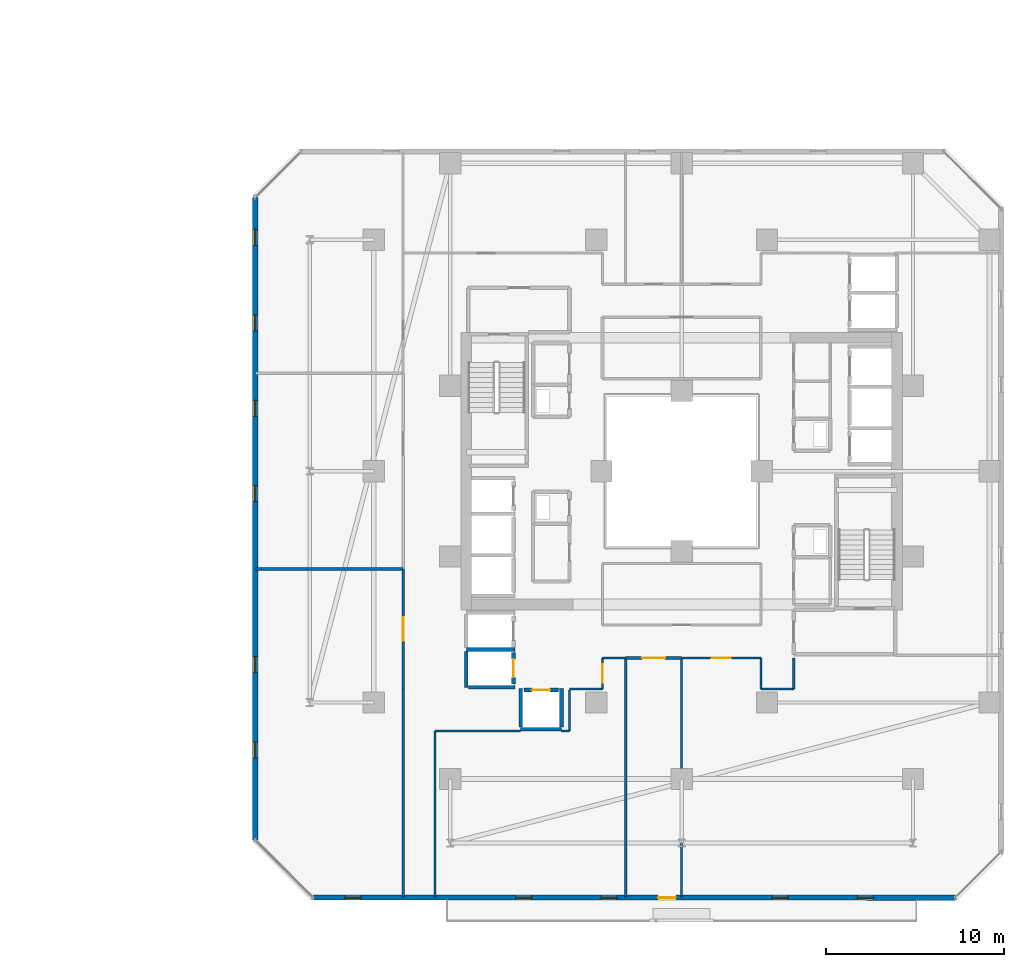
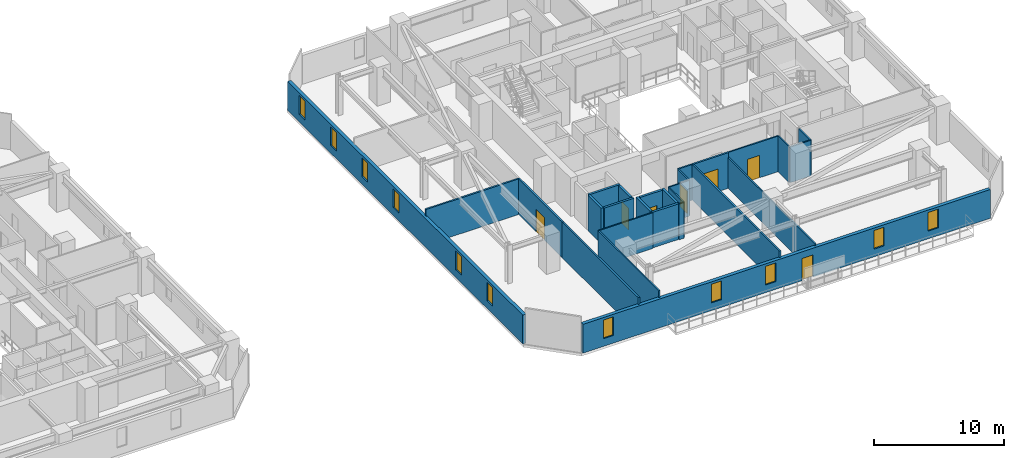
# One storey, part 23 of 33: 27 walls, 11 windows, 7 doors, 18 openings.
"""IFC4 building model written with IfcOpenShell, lengths in metres."""

from ifc_helpers import new_model, si_unit, direction, frame, frame_2d, origin, place, context, subcontext, project, spatial, rectangle, extrude, material, layer, layer_set, type_object, element, fill, save


model = new_model("IFC4")

# Units and contexts
model_context = context("Model", 3, precision=1e-05, world=origin(), true_north=direction((0.0, 1.0)))
body_context = subcontext(model_context, "Body", "Model", "MODEL_VIEW")
ifc_project = project(units=[si_unit("LENGTHUNIT", "METRE"), si_unit("AREAUNIT", "SQUARE_METRE"), si_unit("VOLUMEUNIT", "CUBIC_METRE"), si_unit("PLANEANGLEUNIT", "RADIAN"), si_unit("MASSUNIT", "GRAM", prefix="KILO")], contexts=[model_context])

# Site, building, storey
site_placement = place(None, origin())
site = spatial("IfcSite", under=ifc_project, at=site_placement, CompositionType="ELEMENT")
building_placement = place(site_placement, origin())
building = spatial("IfcBuilding", under=site, at=building_placement, Name="Thornwick Lancets Civic Towers", CompositionType="ELEMENT")
storey_placement = place(building_placement, frame((0.0, 0.0, 108.89990234375)))
storey = spatial("IfcBuildingStorey", under=building, at=storey_placement, Name="L28", CompositionType="ELEMENT", Elevation=108.89990234375)

# Wall, opening, door
ifc_material_1 = material(Name="Concrete blockwork C40/50", Category="masonry")
ifc_layer_1 = layer(ifc_material_1, 0.199951171875, Name="Concrete blockwork C40/50")
ifc_layer_set_1 = layer_set([ifc_layer_1], Name="Concrete blockwork C40/50")
wall_type_1 = type_object("IfcWallType", Name="WALL_COMP_200", PredefinedType="STANDARD", material=ifc_layer_set_1)
wall_1_placement = place(storey_placement, frame((79.050048828125, 15.030029296875, 0.0), z_axis=(0.0, 0.0, 1.0), x_axis=(0.0, 1.0, 0.0)))
wall_1 = element("IfcWall", 1, at=wall_1_placement, inside=storey, type_object=wall_type_1, Name="L28 Hoistway Front Wall PL-BM2", PredefinedType="STANDARD", context=body_context, shape_type="SweptSolid", body=[
    extrude(rectangle(XDim=1.7900390625, YDim=0.199951171875, at=frame_2d((0.89501953125, 0.0))), origin(), (0.0, 0.0, 1.0), 3.340087890625),
])
opening_1_placement = place(wall_1_placement, frame((0.385009765625, 0.0, 0.0)))
opening_1 = element("IfcOpeningElement", 2, at=opening_1_placement, cuts=wall_1, Name="Opening LD-PL-BM2", PredefinedType="OPENING", context=body_context, shape_type="SweptSolid", body=[
    extrude(rectangle(XDim=1.02001953125, YDim=2.06005859375, at=frame_2d((0.510009765625, 1.030029296875))), frame((0.0, 0.10986328125, 0.0), z_axis=(0.0, -1.0, 0.0), x_axis=(1.0, 0.0, 0.0)), (0.0, 0.0, 1.0), 0.219970703125),
])
ifc_material_2 = material(Name="Brushed bronze stainless steel", Category="steel")
door_type_1 = type_object("IfcDoorType", Name="DOOR_LIFT_SLIDE", OperationType="SLIDING_TO_LEFT", PredefinedType="DOOR", material=ifc_material_2)
door_1_placement = place(opening_1_placement, origin())
door_1 = element("IfcDoor", 3, at=door_1_placement, inside=storey, type_object=door_type_1, Name="L28 Sliding Lift Landing Door LD-PL-BM2", OperationType="SLIDING_TO_LEFT", OverallHeight=2.06005859375, OverallWidth=1.02001953125, PredefinedType="DOOR", context=body_context, shape_type="SweptSolid", body=[
    extrude(rectangle(XDim=1.02001953125, YDim=2.06005859375, at=frame_2d((0.510009765625, 1.030029296875))), frame((0.0, 0.02490234375, 0.0), z_axis=(0.0, -1.0, 0.0), x_axis=(1.0, 0.0, 0.0)), (0.0, 0.0, 1.0), 0.050048828125),
])
fill(opening_1, door_1)

wall_2_placement = place(storey_placement, frame((79.6298828125, 14.699951171875, 0.0), z_axis=(0.0, 0.0, 1.0), x_axis=(1.0, 0.0, 0.0)))
wall_2 = element("IfcWall", 4, at=wall_2_placement, inside=storey, type_object=wall_type_1, Name="L28 Hoistway Front Wall PL-BM3", PredefinedType="STANDARD", context=body_context, shape_type="SweptSolid", body=[
    extrude(rectangle(XDim=1.940185546875, YDim=0.199951171875, at=frame_2d((0.97021484375, 0.0))), origin(), (0.0, 0.0, 1.0), 3.340087890625),
])
opening_2_placement = place(wall_2_placement, frame((0.4599609375, 0.0, 0.0)))
opening_2 = element("IfcOpeningElement", 5, at=opening_2_placement, cuts=wall_2, Name="Opening LD-PL-BM3", PredefinedType="OPENING", context=body_context, shape_type="SweptSolid", body=[
    extrude(rectangle(XDim=1.02001953125, YDim=2.06005859375, at=frame_2d((0.510009765625, 1.030029296875))), frame((0.0, 0.10986328125, 0.0), z_axis=(0.0, -1.0, 0.0), x_axis=(1.0, 0.0, 0.0)), (0.0, 0.0, 1.0), 0.219970703125),
])
door_2_placement = place(opening_2_placement, origin())
door_2 = element("IfcDoor", 6, at=door_2_placement, inside=storey, type_object=door_type_1, Name="L28 Sliding Lift Landing Door LD-PL-BM3", OperationType="SLIDING_TO_LEFT", OverallHeight=2.06005859375, OverallWidth=1.02001953125, PredefinedType="DOOR", context=body_context, shape_type="SweptSolid", body=[
    extrude(rectangle(XDim=1.02001953125, YDim=2.06005859375, at=frame_2d((0.510009765625, 1.030029296875))), frame((0.0, 0.02490234375, 0.0), z_axis=(0.0, -1.0, 0.0), x_axis=(1.0, 0.0, 0.0)), (0.0, 0.0, 1.0), 0.050048828125),
])
fill(opening_2, door_2)

# Walls
wall_3_placement = place(storey_placement, frame((76.402099609375, 16.97509765625, 0.0), z_axis=(0.0, 0.0, 1.0), x_axis=(1.0, 0.0, 0.0)))
element("IfcWall", 7, at=wall_3_placement, inside=storey, type_object=wall_type_1, Name="L28 Hoistway Shaft Wall PL-BM1 S", PredefinedType="STANDARD", context=body_context, shape_type="SweptSolid", body=[
    extrude(rectangle(XDim=2.745849609375, YDim=0.199951171875, at=frame_2d((1.373046875, 0.0))), origin(), (0.0, 0.0, 1.0), 3.340087890625),
])
wall_4_placement = place(storey_placement, frame((76.39990234375, 14.85205078125, 0.0), z_axis=(0.0, 0.0, 1.0), x_axis=(0.0, 1.0, 0.0)))
element("IfcWall", 8, at=wall_4_placement, inside=storey, type_object=wall_type_1, Name="L28 Hoistway Shaft Wall PL-BM1 W", PredefinedType="STANDARD", context=body_context, shape_type="SweptSolid", body=[
    extrude(rectangle(XDim=2.015869140625, YDim=0.199951171875, at=frame_2d((1.0078125, 0.0))), origin(), (0.0, 0.0, 1.0), 3.340087890625),
])
wall_5_placement = place(storey_placement, frame((76.511962890625, 14.85009765625, 0.0), z_axis=(0.0, 0.0, 1.0), x_axis=(1.0, 0.0, 0.0)))
element("IfcWall", 9, at=wall_5_placement, inside=storey, type_object=wall_type_1, Name="L28 Hoistway Shaft Wall PL-BM2 S", PredefinedType="STANDARD", context=body_context, shape_type="SweptSolid", body=[
    extrude(rectangle(XDim=2.635986328125, YDim=0.199951171875, at=frame_2d((1.31787109375, 0.0))), origin(), (0.0, 0.0, 1.0), 3.340087890625),
])
wall_6_placement = place(storey_placement, frame((79.451904296875, 12.5, 0.0), z_axis=(0.0, 0.0, 1.0), x_axis=(1.0, 0.0, 0.0)))
element("IfcWall", 10, at=wall_6_placement, inside=storey, type_object=wall_type_1, Name="L28 Hoistway Shaft Wall PL-BM3 S", PredefinedType="STANDARD", context=body_context, shape_type="SweptSolid", body=[
    extrude(rectangle(XDim=2.296142578125, YDim=0.199951171875, at=frame_2d((1.14794921875, 0.0))), origin(), (0.0, 0.0, 1.0), 3.340087890625),
])
for number, where, z_axis, x_axis, name in (
    (11, (81.75, 12.612060546875, 0.0), (0.0, 0.0, 1.0), (0.0, 1.0, 0.0), "L28 Hoistway Shaft Wall PL-BM3 E"),
    (12, (79.449951171875, 12.612060546875, 0.0), (0.0, 0.0, 1.0), (0.0, 1.0, 0.0), "L28 Hoistway Shaft Wall PL-BM3 W"),
):
    element("IfcWall", number, at=place(storey_placement, frame(where, z_axis=z_axis, x_axis=x_axis)), inside=storey, type_object=wall_type_1, Name=name, PredefinedType="STANDARD", context=body_context, shape_type="SweptSolid", body=[
        extrude(rectangle(XDim=2.18603515625, YDim=0.199951171875, at=frame_2d((1.093017578125, 0.0))), origin(), (0.0, 0.0, 1.0), 3.340087890625),
    ])

# Wall, openings, door, windows
ifc_material_3 = material(Name="Insulated russet terracotta rainscreen on concrete C40/50", Category="masonry")
ifc_layer_2 = layer(ifc_material_3, 0.300048828125, Name="Insulated russet terracotta rainscreen on concrete C40/50")
ifc_layer_set_2 = layer_set([ifc_layer_2], Name="Insulated russet terracotta rainscreen on concrete C40/50")
wall_type_2 = type_object("IfcWallType", Name="WALL_EXT_RUSSET_300", PredefinedType="STANDARD", material=ifc_layer_set_2)
wall_7_placement = place(storey_placement, frame((67.771240234375, 3.037353515625, 0.0), z_axis=(0.0, 0.0, 1.0), x_axis=(0.999999998537, -5.4088042e-05, 0.0)))
wall_7 = element("IfcWall", 13, at=wall_7_placement, inside=storey, type_object=wall_type_2, Name="L28 Tower B Terracotta Facade Wall E0", PredefinedType="STANDARD", context=body_context, shape_type="SweptSolid", body=[
    extrude(rectangle(XDim=36.110107421875, YDim=0.300048828125, at=frame_2d((18.05517578125, 0.0))), origin(), (0.0, 0.0, 1.0), 2.7001953125),
])
opening_3_placement = place(wall_7_placement, frame((19.405029296875, 0.0, 0.0)))
opening_3 = element("IfcOpeningElement", 14, at=opening_3_placement, cuts=wall_7, Name="Opening D-BL-L28-BS", PredefinedType="OPENING", context=body_context, shape_type="SweptSolid", body=[
    extrude(rectangle(XDim=1.0, YDim=2.080078125, at=frame_2d((0.5, 1.0400390625))), frame((0.0, 0.16015625, 0.0), z_axis=(0.0, -1.0, 0.0), x_axis=(1.0, 0.0, 0.0)), (0.0, 0.0, 1.0), 0.320068359375),
])
opening_4_placement = place(wall_7_placement, frame((1.800048828125, 0.0, 0.719970703125)))
opening_4 = element("IfcOpeningElement", 15, at=opening_4_placement, cuts=wall_7, Name="Opening WL-01", PredefinedType="OPENING", context=body_context, shape_type="SweptSolid", body=[
    extrude(rectangle(XDim=0.89990234375, YDim=1.75, at=frame_2d((0.449951171875, 0.875))), frame((0.0, 0.16015625, 0.0), z_axis=(0.0, -1.0, 0.0), x_axis=(1.0, 0.0, 0.0)), (0.0, 0.0, 1.0), 0.320068359375),
])
opening_5_placement = place(wall_7_placement, frame((11.39990234375, 0.0, 0.719970703125)))
opening_5 = element("IfcOpeningElement", 16, at=opening_5_placement, cuts=wall_7, Name="Opening WL-01", PredefinedType="OPENING", context=body_context, shape_type="SweptSolid", body=[
    extrude(rectangle(XDim=0.89990234375, YDim=1.75, at=frame_2d((0.449951171875, 0.875))), frame((0.0, 0.16015625, 0.0), z_axis=(0.0, -1.0, 0.0), x_axis=(1.0, 0.0, 0.0)), (0.0, 0.0, 1.0), 0.320068359375),
])
opening_6_placement = place(wall_7_placement, frame((16.199951171875, 0.0, 0.719970703125)))
opening_6 = element("IfcOpeningElement", 17, at=opening_6_placement, cuts=wall_7, Name="Opening WL-01", PredefinedType="OPENING", context=body_context, shape_type="SweptSolid", body=[
    extrude(rectangle(XDim=0.89990234375, YDim=1.75, at=frame_2d((0.449951171875, 0.875))), frame((0.0, 0.16015625, 0.0), z_axis=(0.0, -1.0, 0.0), x_axis=(1.0, 0.0, 0.0)), (0.0, 0.0, 1.0), 0.320068359375),
])
opening_7_placement = place(wall_7_placement, frame((25.800048828125, 0.0, 0.719970703125)))
opening_7 = element("IfcOpeningElement", 18, at=opening_7_placement, cuts=wall_7, Name="Opening WL-01", PredefinedType="OPENING", context=body_context, shape_type="SweptSolid", body=[
    extrude(rectangle(XDim=0.89990234375, YDim=1.75, at=frame_2d((0.449951171875, 0.875))), frame((0.0, 0.16015625, 0.0), z_axis=(0.0, -1.0, 0.0), x_axis=(1.0, 0.0, 0.0)), (0.0, 0.0, 1.0), 0.320068359375),
])
opening_8_placement = place(wall_7_placement, frame((30.60009765625, 0.0, 0.719970703125)))
opening_8 = element("IfcOpeningElement", 19, at=opening_8_placement, cuts=wall_7, Name="Opening WL-01", PredefinedType="OPENING", context=body_context, shape_type="SweptSolid", body=[
    extrude(rectangle(XDim=0.89990234375, YDim=1.75, at=frame_2d((0.449951171875, 0.875))), frame((0.0, 0.16015625, 0.0), z_axis=(0.0, -1.0, 0.0), x_axis=(1.0, 0.0, 0.0)), (0.0, 0.0, 1.0), 0.320068359375),
])
ifc_material_4 = material(Name="Thermally broken glazed loggia doorset")
door_type_2 = type_object("IfcDoorType", Name="DOOR_BALC_1000", OperationType="NOTDEFINED", PredefinedType="DOOR", material=ifc_material_4)
door_3_placement = place(opening_3_placement, origin())
door_3 = element("IfcDoor", 20, at=door_3_placement, inside=storey, type_object=door_type_2, Name="L28 Tower B Loggia Balcony Door S", OperationType="SINGLE_SWING_LEFT", OverallHeight=2.080078125, OverallWidth=1.0, PredefinedType="DOOR", context=body_context, shape_type="SweptSolid", body=[
    extrude(rectangle(XDim=1.0, YDim=2.080078125, at=frame_2d((0.5, 1.0400390625))), frame((0.0, 0.02490234375, 0.0), z_axis=(0.0, -1.0, 0.0), x_axis=(1.0, 0.0, 0.0)), (0.0, 0.0, 1.0), 0.050048828125),
])
fill(opening_3, door_3)
ifc_material_5 = material(Name="Clear low-e double glazing in bronze frame", Category="glass")
window_type = type_object("IfcWindowType", Name="WIN_LANCET_900", PartitioningType="SINGLE_PANEL", PredefinedType="WINDOW", material=ifc_material_5)
window_1_placement = place(opening_4_placement, origin())
window_1 = element("IfcWindow", 21, at=window_1_placement, inside=storey, type_object=window_type, Name="L28 Tower B Staggered Lancet Window E0-1", OverallHeight=1.75, OverallWidth=0.89990234375, PartitioningType="SINGLE_PANEL", PredefinedType="WINDOW", context=body_context, shape_type="SweptSolid", body=[
    extrude(rectangle(XDim=0.89990234375, YDim=1.75, at=frame_2d((0.449951171875, 0.875))), frame((0.0, 0.030029296875, 0.0), z_axis=(0.0, -1.0, 0.0), x_axis=(1.0, 0.0, 0.0)), (0.0, 0.0, 1.0), 0.06005859375),
])
fill(opening_4, window_1)
window_2_placement = place(opening_5_placement, origin())
window_2 = element("IfcWindow", 22, at=window_2_placement, inside=storey, type_object=window_type, Name="L28 Tower B Staggered Lancet Window E0-2", OverallHeight=1.75, OverallWidth=0.89990234375, PartitioningType="SINGLE_PANEL", PredefinedType="WINDOW", context=body_context, shape_type="SweptSolid", body=[
    extrude(rectangle(XDim=0.89990234375, YDim=1.75, at=frame_2d((0.449951171875, 0.875))), frame((0.0, 0.030029296875, 0.0), z_axis=(0.0, -1.0, 0.0), x_axis=(1.0, 0.0, 0.0)), (0.0, 0.0, 1.0), 0.06005859375),
])
fill(opening_5, window_2)
window_3_placement = place(opening_6_placement, origin())
window_3 = element("IfcWindow", 23, at=window_3_placement, inside=storey, type_object=window_type, Name="L28 Tower B Staggered Lancet Window E0-3", OverallHeight=1.75, OverallWidth=0.89990234375, PartitioningType="SINGLE_PANEL", PredefinedType="WINDOW", context=body_context, shape_type="SweptSolid", body=[
    extrude(rectangle(XDim=0.89990234375, YDim=1.75, at=frame_2d((0.449951171875, 0.875))), frame((0.0, 0.030029296875, 0.0), z_axis=(0.0, -1.0, 0.0), x_axis=(1.0, 0.0, 0.0)), (0.0, 0.0, 1.0), 0.06005859375),
])
fill(opening_6, window_3)
window_4_placement = place(opening_7_placement, origin())
window_4 = element("IfcWindow", 24, at=window_4_placement, inside=storey, type_object=window_type, Name="L28 Tower B Staggered Lancet Window E0-4", OverallHeight=1.75, OverallWidth=0.89990234375, PartitioningType="SINGLE_PANEL", PredefinedType="WINDOW", context=body_context, shape_type="SweptSolid", body=[
    extrude(rectangle(XDim=0.89990234375, YDim=1.75, at=frame_2d((0.449951171875, 0.875))), frame((0.0, 0.030029296875, 0.0), z_axis=(0.0, -1.0, 0.0), x_axis=(1.0, 0.0, 0.0)), (0.0, 0.0, 1.0), 0.06005859375),
])
fill(opening_7, window_4)
window_5_placement = place(opening_8_placement, origin())
window_5 = element("IfcWindow", 25, at=window_5_placement, inside=storey, type_object=window_type, Name="L28 Tower B Staggered Lancet Window E0-5", OverallHeight=1.75, OverallWidth=0.89990234375, PartitioningType="SINGLE_PANEL", PredefinedType="WINDOW", context=body_context, shape_type="SweptSolid", body=[
    extrude(rectangle(XDim=0.89990234375, YDim=1.75, at=frame_2d((0.449951171875, 0.875))), frame((0.0, 0.030029296875, 0.0), z_axis=(0.0, -1.0, 0.0), x_axis=(1.0, 0.0, 0.0)), (0.0, 0.0, 1.0), 0.06005859375),
])
fill(opening_8, window_5)

# Wall, openings, windows
wall_8_placement = place(storey_placement, frame((64.535400390625, 42.38134765625, 0.0), z_axis=(0.0, 0.0, 1.0), x_axis=(5.4088042e-05, -0.999999998537, 0.0)))
wall_8 = element("IfcWall", 26, at=wall_8_placement, inside=storey, type_object=wall_type_2, Name="L28 Tower B Terracotta Facade Wall E6", PredefinedType="STANDARD", context=body_context, shape_type="SweptSolid", body=[
    extrude(rectangle(XDim=36.110107421875, YDim=0.300048828125, at=frame_2d((18.05517578125, 0.0))), origin(), (0.0, 0.0, 1.0), 2.7001953125),
])
opening_9_placement = place(wall_8_placement, frame((1.800048828125, 0.0, 0.719970703125)))
opening_9 = element("IfcOpeningElement", 27, at=opening_9_placement, cuts=wall_8, Name="Opening WL-01", PredefinedType="OPENING", context=body_context, shape_type="SweptSolid", body=[
    extrude(rectangle(XDim=0.89990234375, YDim=1.75, at=frame_2d((0.449951171875, 0.875))), frame((0.0, 0.16015625, 0.0), z_axis=(0.0, -1.0, 0.0), x_axis=(1.0, 0.0, 0.0)), (0.0, 0.0, 1.0), 0.320068359375),
])
opening_10_placement = place(wall_8_placement, frame((6.60009765625, 0.0, 0.719970703125)))
opening_10 = element("IfcOpeningElement", 28, at=opening_10_placement, cuts=wall_8, Name="Opening WL-01", PredefinedType="OPENING", context=body_context, shape_type="SweptSolid", body=[
    extrude(rectangle(XDim=0.89990234375, YDim=1.75, at=frame_2d((0.449951171875, 0.875))), frame((0.0, 0.16015625, 0.0), z_axis=(0.0, -1.0, 0.0), x_axis=(1.0, 0.0, 0.0)), (0.0, 0.0, 1.0), 0.320068359375),
])
opening_11_placement = place(wall_8_placement, frame((11.39990234375, 0.0, 0.719970703125)))
opening_11 = element("IfcOpeningElement", 29, at=opening_11_placement, cuts=wall_8, Name="Opening WL-01", PredefinedType="OPENING", context=body_context, shape_type="SweptSolid", body=[
    extrude(rectangle(XDim=0.89990234375, YDim=1.75, at=frame_2d((0.449951171875, 0.875))), frame((0.0, 0.16015625, 0.0), z_axis=(0.0, -1.0, 0.0), x_axis=(1.0, 0.0, 0.0)), (0.0, 0.0, 1.0), 0.320068359375),
])
opening_12_placement = place(wall_8_placement, frame((16.199951171875, 0.0, 0.719970703125)))
opening_12 = element("IfcOpeningElement", 30, at=opening_12_placement, cuts=wall_8, Name="Opening WL-01", PredefinedType="OPENING", context=body_context, shape_type="SweptSolid", body=[
    extrude(rectangle(XDim=0.89990234375, YDim=1.75, at=frame_2d((0.449951171875, 0.875))), frame((0.0, 0.16015625, 0.0), z_axis=(0.0, -1.0, 0.0), x_axis=(1.0, 0.0, 0.0)), (0.0, 0.0, 1.0), 0.320068359375),
])
opening_13_placement = place(wall_8_placement, frame((25.800048828125, 0.0, 0.719970703125)))
opening_13 = element("IfcOpeningElement", 31, at=opening_13_placement, cuts=wall_8, Name="Opening WL-01", PredefinedType="OPENING", context=body_context, shape_type="SweptSolid", body=[
    extrude(rectangle(XDim=0.89990234375, YDim=1.75, at=frame_2d((0.449951171875, 0.875))), frame((0.0, 0.16015625, 0.0), z_axis=(0.0, -1.0, 0.0), x_axis=(1.0, 0.0, 0.0)), (0.0, 0.0, 1.0), 0.320068359375),
])
opening_14_placement = place(wall_8_placement, frame((30.60009765625, 0.0, 0.719970703125)))
opening_14 = element("IfcOpeningElement", 32, at=opening_14_placement, cuts=wall_8, Name="Opening WL-01", PredefinedType="OPENING", context=body_context, shape_type="SweptSolid", body=[
    extrude(rectangle(XDim=0.89990234375, YDim=1.75, at=frame_2d((0.449951171875, 0.875))), frame((0.0, 0.16015625, 0.0), z_axis=(0.0, -1.0, 0.0), x_axis=(1.0, 0.0, 0.0)), (0.0, 0.0, 1.0), 0.320068359375),
])
window_6_placement = place(opening_9_placement, origin())
window_6 = element("IfcWindow", 33, at=window_6_placement, inside=storey, type_object=window_type, Name="L28 Tower B Staggered Lancet Window E6-1", OverallHeight=1.75, OverallWidth=0.89990234375, PartitioningType="SINGLE_PANEL", PredefinedType="WINDOW", context=body_context, shape_type="SweptSolid", body=[
    extrude(rectangle(XDim=0.89990234375, YDim=1.75, at=frame_2d((0.449951171875, 0.875))), frame((0.0, 0.030029296875, 0.0), z_axis=(0.0, -1.0, 0.0), x_axis=(1.0, 0.0, 0.0)), (0.0, 0.0, 1.0), 0.06005859375),
])
fill(opening_9, window_6)
window_7_placement = place(opening_10_placement, origin())
window_7 = element("IfcWindow", 34, at=window_7_placement, inside=storey, type_object=window_type, Name="L28 Tower B Staggered Lancet Window E6-2", OverallHeight=1.75, OverallWidth=0.89990234375, PartitioningType="SINGLE_PANEL", PredefinedType="WINDOW", context=body_context, shape_type="SweptSolid", body=[
    extrude(rectangle(XDim=0.89990234375, YDim=1.75, at=frame_2d((0.449951171875, 0.875))), frame((0.0, 0.030029296875, 0.0), z_axis=(0.0, -1.0, 0.0), x_axis=(1.0, 0.0, 0.0)), (0.0, 0.0, 1.0), 0.06005859375),
])
fill(opening_10, window_7)
window_8_placement = place(opening_11_placement, origin())
window_8 = element("IfcWindow", 35, at=window_8_placement, inside=storey, type_object=window_type, Name="L28 Tower B Staggered Lancet Window E6-3", OverallHeight=1.75, OverallWidth=0.89990234375, PartitioningType="SINGLE_PANEL", PredefinedType="WINDOW", context=body_context, shape_type="SweptSolid", body=[
    extrude(rectangle(XDim=0.89990234375, YDim=1.75, at=frame_2d((0.449951171875, 0.875))), frame((0.0, 0.030029296875, 0.0), z_axis=(0.0, -1.0, 0.0), x_axis=(1.0, 0.0, 0.0)), (0.0, 0.0, 1.0), 0.06005859375),
])
fill(opening_11, window_8)
window_9_placement = place(opening_12_placement, origin())
window_9 = element("IfcWindow", 36, at=window_9_placement, inside=storey, type_object=window_type, Name="L28 Tower B Staggered Lancet Window E6-4", OverallHeight=1.75, OverallWidth=0.89990234375, PartitioningType="SINGLE_PANEL", PredefinedType="WINDOW", context=body_context, shape_type="SweptSolid", body=[
    extrude(rectangle(XDim=0.89990234375, YDim=1.75, at=frame_2d((0.449951171875, 0.875))), frame((0.0, 0.030029296875, 0.0), z_axis=(0.0, -1.0, 0.0), x_axis=(1.0, 0.0, 0.0)), (0.0, 0.0, 1.0), 0.06005859375),
])
fill(opening_12, window_9)
window_10_placement = place(opening_13_placement, origin())
window_10 = element("IfcWindow", 37, at=window_10_placement, inside=storey, type_object=window_type, Name="L28 Tower B Staggered Lancet Window E6-5", OverallHeight=1.75, OverallWidth=0.89990234375, PartitioningType="SINGLE_PANEL", PredefinedType="WINDOW", context=body_context, shape_type="SweptSolid", body=[
    extrude(rectangle(XDim=0.89990234375, YDim=1.75, at=frame_2d((0.449951171875, 0.875))), frame((0.0, 0.030029296875, 0.0), z_axis=(0.0, -1.0, 0.0), x_axis=(1.0, 0.0, 0.0)), (0.0, 0.0, 1.0), 0.06005859375),
])
fill(opening_13, window_10)
window_11_placement = place(opening_14_placement, origin())
window_11 = element("IfcWindow", 38, at=window_11_placement, inside=storey, type_object=window_type, Name="L28 Tower B Staggered Lancet Window E6-6", OverallHeight=1.75, OverallWidth=0.89990234375, PartitioningType="SINGLE_PANEL", PredefinedType="WINDOW", context=body_context, shape_type="SweptSolid", body=[
    extrude(rectangle(XDim=0.89990234375, YDim=1.75, at=frame_2d((0.449951171875, 0.875))), frame((0.0, 0.030029296875, 0.0), z_axis=(0.0, -1.0, 0.0), x_axis=(1.0, 0.0, 0.0)), (0.0, 0.0, 1.0), 0.06005859375),
])
fill(opening_14, window_11)

# Walls
ifc_material_6 = material(Name="Acoustic gypsum board partition")
ifc_layer_3 = layer(ifc_material_6, 0.1201171875, Name="Acoustic gypsum board partition")
ifc_layer_set_3 = layer_set([ifc_layer_3], Name="Acoustic gypsum board partition")
wall_type_3 = type_object("IfcWallType", Name="WALL_PART_120", PredefinedType="PARTITIONING", material=ifc_layer_set_3)
wall_9_placement = place(storey_placement, frame((92.949951171875, 16.5, 0.0), z_axis=(0.0, 0.0, 1.0), x_axis=(0.0, -1.0, 0.0)))
element("IfcWall", 39, at=wall_9_placement, inside=storey, type_object=wall_type_3, Name="L28 Partition L28-B-W1 E1", PredefinedType="PARTITIONING", context=body_context, shape_type="SweptSolid", body=[
    extrude(rectangle(XDim=1.75, YDim=0.1201171875, at=frame_2d((0.875, 0.0))), origin(), (0.0, 0.0, 1.0), 3.340087890625),
])
wall_10_placement = place(storey_placement, frame((92.949951171875, 14.75, 0.0), z_axis=(0.0, 0.0, 1.0), x_axis=(1.0, 0.0, 0.0)))
element("IfcWall", 40, at=wall_10_placement, inside=storey, type_object=wall_type_3, Name="L28 Partition L28-B-W1 E2", PredefinedType="PARTITIONING", context=body_context, shape_type="SweptSolid", body=[
    extrude(rectangle(XDim=1.85009765625, YDim=0.1201171875, at=frame_2d((0.925048828125, 0.0))), origin(), (0.0, 0.0, 1.0), 3.340087890625),
])
wall_11_placement = place(storey_placement, frame((94.800048828125, 14.75, 0.0), z_axis=(0.0, 0.0, 1.0), x_axis=(0.0, 1.0, 0.0)))
element("IfcWall", 41, at=wall_11_placement, inside=storey, type_object=wall_type_3, Name="L28 Partition L28-B-W1 E3", PredefinedType="PARTITIONING", context=body_context, shape_type="SweptSolid", body=[
    extrude(rectangle(XDim=1.75, YDim=0.1201171875, at=frame_2d((0.875, 0.0))), origin(), (0.0, 0.0, 1.0), 3.340087890625),
])
wall_12_placement = place(storey_placement, frame((88.5, 3.080078125, 0.0), z_axis=(0.0, 0.0, 1.0), x_axis=(0.0, 1.0, 0.0)))
element("IfcWall", 42, at=wall_12_placement, inside=storey, type_object=wall_type_3, Name="L28 Partition L28-B-W1 E9", PredefinedType="PARTITIONING", context=body_context, shape_type="SweptSolid", body=[
    extrude(rectangle(XDim=13.419921875, YDim=0.1201171875, at=frame_2d((6.7099609375, 0.0))), origin(), (0.0, 0.0, 1.0), 2.881591796875),
])

# Wall, opening, door
wall_13_placement = place(storey_placement, frame((88.5, 16.5, 0.0), z_axis=(0.0, 0.0, 1.0), x_axis=(1.0, 0.0, 0.0)))
wall_13 = element("IfcWall", 43, at=wall_13_placement, inside=storey, type_object=wall_type_3, Name="L28 Partition L28-B-W1 E10", PredefinedType="PARTITIONING", context=body_context, shape_type="SweptSolid", body=[
    extrude(rectangle(XDim=4.449951171875, YDim=0.1201171875, at=frame_2d((2.22509765625, 0.0))), origin(), (0.0, 0.0, 1.0), 3.340087890625),
])
opening_15_placement = place(wall_13_placement, frame((1.699951171875, 0.0, 0.0)))
opening_15 = element("IfcOpeningElement", 44, at=opening_15_placement, cuts=wall_13, Name="Opening D-L28-1306", PredefinedType="OPENING", context=body_context, shape_type="SweptSolid", body=[
    extrude(rectangle(XDim=1.050048828125, YDim=2.10009765625, at=frame_2d((0.52490234375, 1.050048828125))), frame((0.0, 0.070068359375, 0.0), z_axis=(0.0, -1.0, 0.0), x_axis=(1.0, 0.0, 0.0)), (0.0, 0.0, 1.0), 0.14013671875),
])
ifc_material_7 = material(Name="Glazed European oak executive doorset")
door_type_3 = type_object("IfcDoorType", Name="DOOR_OFFICE_1050", OperationType="NOTDEFINED", PredefinedType="DOOR", material=ifc_material_7)
door_4_placement = place(opening_15_placement, origin())
door_4 = element("IfcDoor", 45, at=door_4_placement, inside=storey, type_object=door_type_3, Name="L28 Tower B Ministry Directorate Office W1 Door", OperationType="SINGLE_SWING_LEFT", OverallHeight=2.10009765625, OverallWidth=1.050048828125, PredefinedType="DOOR", context=body_context, shape_type="SweptSolid", body=[
    extrude(rectangle(XDim=1.050048828125, YDim=2.10009765625, at=frame_2d((0.52490234375, 1.050048828125))), frame((0.0, 0.02490234375, 0.0), z_axis=(0.0, -1.0, 0.0), x_axis=(1.0, 0.0, 0.0)), (0.0, 0.0, 1.0), 0.050048828125),
])
fill(opening_15, door_4)

# Walls
wall_14_placement = place(storey_placement, frame((82.199951171875, 12.39990234375, 0.0), z_axis=(0.0, 0.0, 1.0), x_axis=(0.0, 1.0, 0.0)))
element("IfcWall", 46, at=wall_14_placement, inside=storey, type_object=wall_type_3, Name="L28 Partition L28-B-W3 E1", PredefinedType="PARTITIONING", context=body_context, shape_type="SweptSolid", body=[
    extrude(rectangle(XDim=2.300048828125, YDim=0.1201171875, at=frame_2d((1.14990234375, 0.0))), origin(), (0.0, 0.0, 1.0), 3.340087890625),
])
wall_15_placement = place(storey_placement, frame((82.199951171875, 14.75, 0.0), z_axis=(0.0, 0.0, 1.0), x_axis=(1.0, 0.0, 0.0)))
element("IfcWall", 47, at=wall_15_placement, inside=storey, type_object=wall_type_3, Name="L28 Partition L28-B-W3 E3", PredefinedType="PARTITIONING", context=body_context, shape_type="SweptSolid", body=[
    extrude(rectangle(XDim=1.85009765625, YDim=0.1201171875, at=frame_2d((0.925048828125, 0.0))), origin(), (0.0, 0.0, 1.0), 3.340087890625),
])

# Wall, opening, door
wall_16_placement = place(storey_placement, frame((84.050048828125, 14.75, 0.0), z_axis=(0.0, 0.0, 1.0), x_axis=(0.0, 1.0, 0.0)))
wall_16 = element("IfcWall", 48, at=wall_16_placement, inside=storey, type_object=wall_type_3, Name="L28 Partition L28-B-W3 E4", PredefinedType="PARTITIONING", context=body_context, shape_type="SweptSolid", body=[
    extrude(rectangle(XDim=1.75, YDim=0.1201171875, at=frame_2d((0.875, 0.0))), origin(), (0.0, 0.0, 1.0), 3.340087890625),
])
opening_16_placement = place(wall_16_placement, frame((0.35009765625, 0.0, 0.0)))
opening_16 = element("IfcOpeningElement", 49, at=opening_16_placement, cuts=wall_16, Name="Opening D-L28-1308", PredefinedType="OPENING", context=body_context, shape_type="SweptSolid", body=[
    extrude(rectangle(XDim=1.050048828125, YDim=2.10009765625, at=frame_2d((0.52490234375, 1.050048828125))), frame((0.0, 0.070068359375, 0.0), z_axis=(0.0, -1.0, 0.0), x_axis=(1.0, 0.0, 0.0)), (0.0, 0.0, 1.0), 0.14013671875),
])
door_5_placement = place(opening_16_placement, origin())
door_5 = element("IfcDoor", 50, at=door_5_placement, inside=storey, type_object=door_type_3, Name="L28 Tower B Staff Tea Pantry and Lounge Door", OperationType="SINGLE_SWING_LEFT", OverallHeight=2.10009765625, OverallWidth=1.050048828125, PredefinedType="DOOR", context=body_context, shape_type="SweptSolid", body=[
    extrude(rectangle(XDim=1.050048828125, YDim=2.10009765625, at=frame_2d((0.52490234375, 1.050048828125))), frame((0.0, 0.02490234375, 0.0), z_axis=(0.0, -1.0, 0.0), x_axis=(1.0, 0.0, 0.0)), (0.0, 0.0, 1.0), 0.050048828125),
])
fill(opening_16, door_5)

# Walls
wall_17_placement = place(storey_placement, frame((84.050048828125, 16.5, 0.0), z_axis=(0.0, 0.0, 1.0), x_axis=(1.0, 0.0, 0.0)))
element("IfcWall", 51, at=wall_17_placement, inside=storey, type_object=wall_type_3, Name="L28 Partition L28-B-W3 E5", PredefinedType="PARTITIONING", context=body_context, shape_type="SweptSolid", body=[
    extrude(rectangle(XDim=1.300048828125, YDim=0.1201171875, at=frame_2d((0.64990234375, 0.0))), origin(), (0.0, 0.0, 1.0), 3.340087890625),
])
wall_18_placement = place(storey_placement, frame((74.64990234375, 3.080078125, 0.0), z_axis=(0.0, 0.0, 1.0), x_axis=(0.0, 1.0, 0.0)))
element("IfcWall", 52, at=wall_18_placement, inside=storey, type_object=wall_type_3, Name="L28 Partition L28-B-W3 E8", PredefinedType="PARTITIONING", context=body_context, shape_type="SweptSolid", body=[
    extrude(rectangle(XDim=9.31982421875, YDim=0.1201171875, at=frame_2d((4.659912109375, 0.0))), origin(), (0.0, 0.0, 1.0), 3.340087890625),
])
wall_19_placement = place(storey_placement, frame((74.64990234375, 12.39990234375, 0.0), z_axis=(0.0, 0.0, 1.0), x_axis=(1.0, 0.0, 0.0)))
element("IfcWall", 53, at=wall_19_placement, inside=storey, type_object=wall_type_3, Name="L28 Partition L28-B-W3 E9", PredefinedType="PARTITIONING", context=body_context, shape_type="SweptSolid", body=[
    extrude(rectangle(XDim=4.802001953125, YDim=0.1201171875, at=frame_2d((2.40087890625, 0.0))), origin(), (0.0, 0.0, 1.0), 3.340087890625),
])
wall_20_placement = place(storey_placement, frame((81.748046875, 12.39990234375, 0.0), z_axis=(0.0, 0.0, 1.0), x_axis=(1.0, 0.0, 0.0)))
element("IfcWall", 54, at=wall_20_placement, inside=storey, type_object=wall_type_3, Name="L28 Partition L28-B-W3 E9", PredefinedType="PARTITIONING", context=body_context, shape_type="SweptSolid", body=[
    extrude(rectangle(XDim=0.451904296875, YDim=0.1201171875, at=frame_2d((0.22607421875, 0.0))), origin(), (0.0, 0.0, 1.0), 3.340087890625),
])
ifc_material_8 = material(Name="Twin-stud acoustic gypsum board")
ifc_layer_4 = layer(ifc_material_8, 0.14990234375, Name="Twin-stud acoustic gypsum board")
ifc_layer_set_4 = layer_set([ifc_layer_4], Name="Twin-stud acoustic gypsum board")
wall_type_4 = type_object("IfcWallType", Name="WALL_PART_150", PredefinedType="PARTITIONING", material=ifc_layer_set_4)
wall_21_placement = place(storey_placement, frame((85.35009765625, 3.080078125, 0.0), z_axis=(0.0, 0.0, 1.0), x_axis=(0.0, 1.0, 0.0)))
element("IfcWall", 55, at=wall_21_placement, inside=storey, type_object=wall_type_4, Name="L28 Partition L28-B-W2 E3", PredefinedType="PARTITIONING", context=body_context, shape_type="SweptSolid", body=[
    extrude(rectangle(XDim=13.419921875, YDim=0.14990234375, at=frame_2d((6.7099609375, 0.0))), origin(), (0.0, 0.0, 1.0), 3.340087890625),
])

# Wall, opening, door
wall_22_placement = place(storey_placement, frame((85.35009765625, 16.5, 0.0), z_axis=(0.0, 0.0, 1.0), x_axis=(1.0, 0.0, 0.0)))
wall_22 = element("IfcWall", 56, at=wall_22_placement, inside=storey, type_object=wall_type_4, Name="L28 Partition L28-B-W2 E4", PredefinedType="PARTITIONING", context=body_context, shape_type="SweptSolid", body=[
    extrude(rectangle(XDim=3.14990234375, YDim=0.14990234375, at=frame_2d((1.574951171875, 0.0))), origin(), (0.0, 0.0, 1.0), 3.340087890625),
])
opening_17_placement = place(wall_22_placement, frame((0.925048828125, 0.0, 0.0)))
opening_17 = element("IfcOpeningElement", 57, at=opening_17_placement, cuts=wall_22, Name="Opening D-L28-1307", PredefinedType="OPENING", context=body_context, shape_type="SweptSolid", body=[
    extrude(rectangle(XDim=1.300048828125, YDim=2.1201171875, at=frame_2d((0.64990234375, 1.06005859375))), frame((0.0, 0.0849609375, 0.0), z_axis=(0.0, -1.0, 0.0), x_axis=(1.0, 0.0, 0.0)), (0.0, 0.0, 1.0), 0.169921875),
])
ifc_material_9 = material(Name="Acoustic oak leaf-and-a-half doorset")
door_type_4 = type_object("IfcDoorType", Name="DOOR_MEET_1300", OperationType="DOUBLE_DOOR_SINGLE_SWING", PredefinedType="DOOR", material=ifc_material_9)
door_6_placement = place(opening_17_placement, origin())
door_6 = element("IfcDoor", 58, at=door_6_placement, inside=storey, type_object=door_type_4, Name="L28 Tower B Policy Briefing Room W2 Door", OperationType="DOUBLE_DOOR_SINGLE_SWING", OverallHeight=2.1201171875, OverallWidth=1.300048828125, PredefinedType="DOOR", context=body_context, shape_type="SweptSolid", body=[
    extrude(rectangle(XDim=1.300048828125, YDim=2.1201171875, at=frame_2d((0.64990234375, 1.06005859375))), frame((0.0, 0.02490234375, 0.0), z_axis=(0.0, -1.0, 0.0), x_axis=(1.0, 0.0, 0.0)), (0.0, 0.0, 1.0), 0.050048828125),
])
fill(opening_17, door_6)

# Walls
wall_23_placement = place(storey_placement, frame((72.85009765625, 14.75, 0.0), z_axis=(0.0, 0.0, 1.0), x_axis=(0.0, -1.0, 0.0)))
element("IfcWall", 59, at=wall_23_placement, inside=storey, type_object=wall_type_4, Name="L28 Partition L28-B-N-CONF E1", PredefinedType="PARTITIONING", context=body_context, shape_type="SweptSolid", body=[
    extrude(rectangle(XDim=11.669921875, YDim=0.14990234375, at=frame_2d((5.8349609375, 0.0))), origin(), (0.0, 0.0, 1.0), 3.340087890625),
])
wall_24_placement = place(storey_placement, frame((64.580078125, 21.5, 0.0), z_axis=(0.0, 0.0, 1.0), x_axis=(1.0, 0.0, 0.0)))
element("IfcWall", 60, at=wall_24_placement, inside=storey, type_object=wall_type_4, Name="L28 Partition L28-B-N-CONF E5", PredefinedType="PARTITIONING", context=body_context, shape_type="SweptSolid", body=[
    extrude(rectangle(XDim=8.27001953125, YDim=0.14990234375, at=frame_2d((4.135009765625, 0.0))), origin(), (0.0, 0.0, 1.0), 3.340087890625),
])

# Wall, opening, door
wall_25_placement = place(storey_placement, frame((72.85009765625, 21.5, 0.0), z_axis=(0.0, 0.0, 1.0), x_axis=(0.0, -1.0, 0.0)))
wall_25 = element("IfcWall", 61, at=wall_25_placement, inside=storey, type_object=wall_type_4, Name="L28 Partition L28-B-N-CONF E6", PredefinedType="PARTITIONING", context=body_context, shape_type="SweptSolid", body=[
    extrude(rectangle(XDim=6.75, YDim=0.14990234375, at=frame_2d((3.375, 0.0))), origin(), (0.0, 0.0, 1.0), 3.340087890625),
])
opening_18_placement = place(wall_25_placement, frame((2.72509765625, 0.0, 0.0)))
opening_18 = element("IfcOpeningElement", 62, at=opening_18_placement, cuts=wall_25, Name="Opening D-L28-1314", PredefinedType="OPENING", context=body_context, shape_type="SweptSolid", body=[
    extrude(rectangle(XDim=1.300048828125, YDim=2.1201171875, at=frame_2d((0.64990234375, 1.06005859375))), frame((0.0, 0.0849609375, 0.0), z_axis=(0.0, -1.0, 0.0), x_axis=(1.0, 0.0, 0.0)), (0.0, 0.0, 1.0), 0.169921875),
])
door_7_placement = place(opening_18_placement, origin())
door_7 = element("IfcDoor", 63, at=door_7_placement, inside=storey, type_object=door_type_4, Name="L28 Tower B North-West Conference Room Door", OperationType="DOUBLE_DOOR_SINGLE_SWING", OverallHeight=2.1201171875, OverallWidth=1.300048828125, PredefinedType="DOOR", context=body_context, shape_type="SweptSolid", body=[
    extrude(rectangle(XDim=1.300048828125, YDim=2.1201171875, at=frame_2d((0.64990234375, 1.06005859375))), frame((0.0, 0.02490234375, 0.0), z_axis=(0.0, -1.0, 0.0), x_axis=(1.0, 0.0, 0.0)), (0.0, 0.0, 1.0), 0.050048828125),
])
fill(opening_18, door_7)

save(model, "model.ifc")
